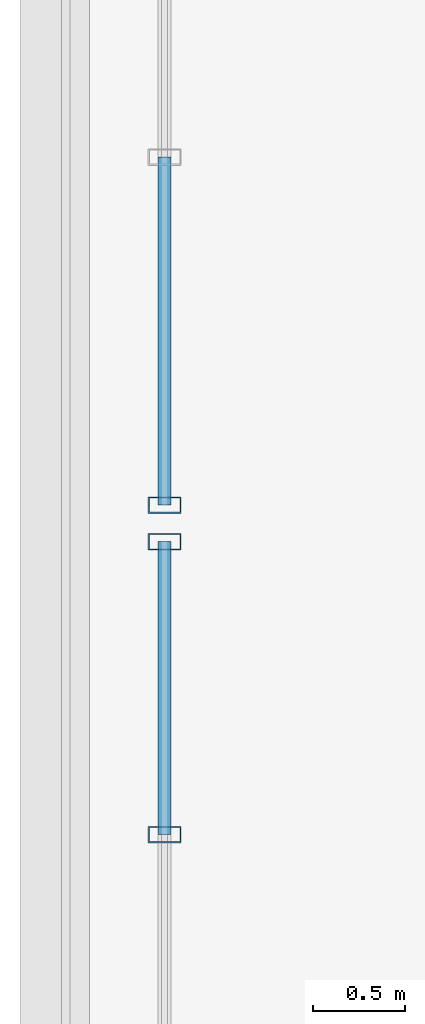
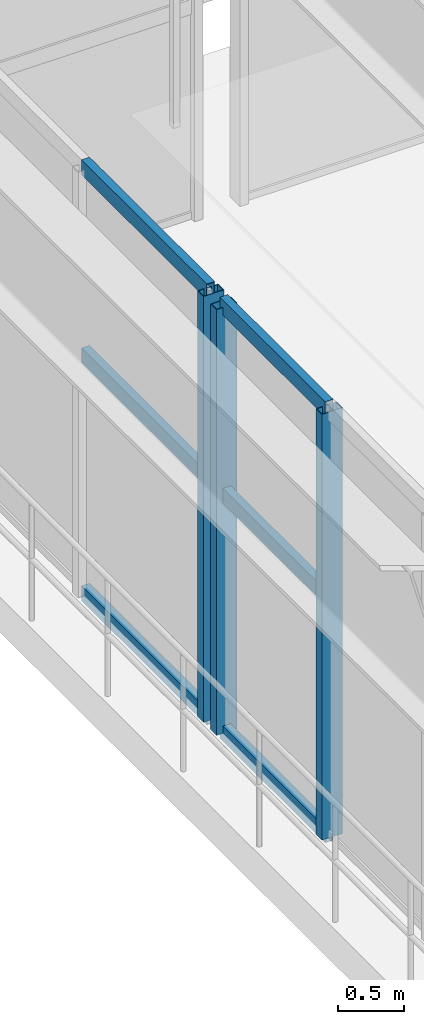
# One storey, part 26 of 124: 9 members, 2 elements without a shape of their own.
"""IFC4 building model written with IfcOpenShell, lengths in metres."""

from ifc_helpers import new_model, si_unit, direction, frame, origin, origin_2d, place, context, subcontext, project, spatial, hollow_rectangle, extrude, material, material_profile, profile_set, type_object, element, aggregate, save


model = new_model("IFC4")

# Units and contexts
model_context = context("Model", 3, precision=1e-05, world=origin(), true_north=direction((0.0, 1.0)))
body_context = subcontext(model_context, "Body", "Model", "MODEL_VIEW")
ifc_project = project(units=[si_unit("LENGTHUNIT", "METRE"), si_unit("AREAUNIT", "SQUARE_METRE"), si_unit("VOLUMEUNIT", "CUBIC_METRE"), si_unit("PLANEANGLEUNIT", "RADIAN"), si_unit("MASSUNIT", "GRAM", prefix="KILO")], contexts=[model_context])

# Site, building, storey
site_placement = place(None, origin())
site = spatial("IfcSite", under=ifc_project, at=site_placement, CompositionType="ELEMENT")
building_placement = place(site_placement, origin())
building = spatial("IfcBuilding", under=site, at=building_placement, Name="Sundkrona Museum", CompositionType="ELEMENT")
storey_placement = place(building_placement, frame((0.0, 0.0, 17.60009765625)))
storey = spatial("IfcBuildingStorey", under=building, at=storey_placement, Name="L03", CompositionType="ELEMENT", Elevation=17.60009765625)

# Curtain wall, members
ifc_material_1 = material(Name="Unitised Aluminium-Steel and Ceramic-Clad Curtain Walling", Category="steel")
curtain_wall_type = type_object("IfcCurtainWallType", Name="CW-CV-68x38", PredefinedType="NOTDEFINED", material=ifc_material_1)
curtain_wall_1_placement = place(storey_placement, origin())
curtain_wall_1 = element("IfcCurtainWall", 1, at=curtain_wall_1_placement, inside=storey, type_object=curtain_wall_type, Name="L03 Curtain Wall CW-CV-TIP-L03-39", PredefinedType="NOTDEFINED")
ifc_material_2 = material(Name="Aluminium EN AW-6060 T66", Category="aluminium")
ifc_material_profile_1 = material_profile(ifc_material_2, hollow_rectangle(XDim=0.090087890625, YDim=0.179931640625, WallThickness=0.00634765625, at=origin_2d()), Name="RHS 180x90x6.3")
ifc_profile_set_1 = profile_set([ifc_material_profile_1], Name="Aluminium EN AW-6060 T66")
member_type_1 = type_object("IfcMemberType", Name="ML-180", PredefinedType="MULLION", material=ifc_profile_set_1)
member_1_placement = place(storey_placement, frame((4.60009765625, 44.60009765625, -0.004150390625), z_axis=(0.0, 0.0, 1.0), x_axis=(0.0, 1.0, 0.0)))
member_1 = element("IfcMember", 2, at=member_1_placement, type_object=member_type_1, Name="CW-CV-TIP-L03-39 Mullion 04", PredefinedType="MULLION", context=body_context, shape_type="SweptSolid", body=[
    extrude(hollow_rectangle(XDim=0.090087890625, YDim=0.179931640625, WallThickness=0.00634765625, at=origin_2d()), origin(), (0.0, 0.0, 1.0), 3.947998046875),
])
member_2_placement = place(storey_placement, frame((4.60009765625, 46.199951171875, -0.004150390625), z_axis=(0.0, 0.0, 1.0), x_axis=(0.0, 1.0, 0.0)))
member_2 = element("IfcMember", 3, at=member_2_placement, type_object=member_type_1, Name="CW-CV-TIP-L03-39 Mullion 05", PredefinedType="MULLION", context=body_context, shape_type="SweptSolid", body=[
    extrude(hollow_rectangle(XDim=0.090087890625, YDim=0.179931640625, WallThickness=0.00634765625, at=origin_2d()), origin(), (0.0, 0.0, 1.0), 3.947998046875),
])

# Curtain wall, member
curtain_wall_2_placement = place(storey_placement, origin())
curtain_wall_2 = element("IfcCurtainWall", 4, at=curtain_wall_2_placement, inside=storey, type_object=curtain_wall_type, Name="L03 Curtain Wall CW-CV-TIP-L03-46", PredefinedType="NOTDEFINED")
member_3_placement = place(storey_placement, frame((4.60009765625, 46.39990234375, -0.004150390625), z_axis=(0.0, 0.0, 1.0), x_axis=(0.0, 1.0, 0.0)))
member_3 = element("IfcMember", 5, at=member_3_placement, type_object=member_type_1, Name="CW-CV-TIP-L03-46 Mullion 01", PredefinedType="MULLION", context=body_context, shape_type="SweptSolid", body=[
    extrude(hollow_rectangle(XDim=0.090087890625, YDim=0.179931640625, WallThickness=0.00634765625, at=origin_2d()), origin(), (0.0, 0.0, 1.0), 3.947998046875),
])

# Member
ifc_material_profile_2 = material_profile(ifc_material_2, hollow_rectangle(XDim=0.070068359375, YDim=0.139892578125, WallThickness=0.0048828125, at=origin_2d()), Name="RHS 140x70x5.0")
ifc_profile_set_2 = profile_set([ifc_material_profile_2], Name="Aluminium EN AW-6060 T66")
member_type_2 = type_object("IfcMemberType", Name="TR-140", PredefinedType="USERDEFINED", material=ifc_profile_set_2)
member_4_placement = place(storey_placement, frame((4.60009765625, 44.60009765625, -0.004150390625), z_axis=(0.0, 1.0, 0.0), x_axis=(-1.0, 0.0, 0.0)))
member_4 = element("IfcMember", 6, at=member_4_placement, type_object=member_type_2, Name="CW-CV-TIP-L03-39 Transom 10", ObjectType="TRANSOM", PredefinedType="USERDEFINED", context=body_context, shape_type="SweptSolid", body=[
    extrude(hollow_rectangle(XDim=0.070068359375, YDim=0.139892578125, WallThickness=0.0048828125, at=origin_2d()), origin(), (0.0, 0.0, 1.0), 1.599853515625),
])

member_5_placement = place(storey_placement, frame((4.60009765625, 44.60009765625, 2.199951171875), z_axis=(0.0, 1.0, 0.0), x_axis=(-1.0, 0.0, 0.0)))
member_5 = element("IfcMember", 7, at=member_5_placement, type_object=member_type_2, Name="CW-CV-TIP-L03-39 Transom 11", ObjectType="TRANSOM", PredefinedType="USERDEFINED", context=body_context, shape_type="SweptSolid", body=[
    extrude(hollow_rectangle(XDim=0.070068359375, YDim=0.139892578125, WallThickness=0.0048828125, at=origin_2d()), origin(), (0.0, 0.0, 1.0), 1.599853515625),
])

member_6_placement = place(storey_placement, frame((4.60009765625, 44.60009765625, 3.94384765625), z_axis=(0.0, 1.0, 0.0), x_axis=(-1.0, 0.0, 0.0)))
member_6 = element("IfcMember", 8, at=member_6_placement, type_object=member_type_2, Name="CW-CV-TIP-L03-39 Transom 12", ObjectType="TRANSOM", PredefinedType="USERDEFINED", context=body_context, shape_type="SweptSolid", body=[
    extrude(hollow_rectangle(XDim=0.070068359375, YDim=0.139892578125, WallThickness=0.0048828125, at=origin_2d()), origin(), (0.0, 0.0, 1.0), 1.599853515625),
])

aggregate(curtain_wall_1, [member_1, member_2, member_4, member_5, member_6])

member_7_placement = place(storey_placement, frame((4.60009765625, 46.39990234375, -0.004150390625), z_axis=(0.0, 1.0, 0.0), x_axis=(-1.0, 0.0, 0.0)))
member_7 = element("IfcMember", 9, at=member_7_placement, type_object=member_type_2, Name="CW-CV-TIP-L03-46 Transom 01", ObjectType="TRANSOM", PredefinedType="USERDEFINED", context=body_context, shape_type="SweptSolid", body=[
    extrude(hollow_rectangle(XDim=0.070068359375, YDim=0.139892578125, WallThickness=0.0048828125, at=origin_2d()), origin(), (0.0, 0.0, 1.0), 1.900146484375),
])

member_8_placement = place(storey_placement, frame((4.60009765625, 46.39990234375, 2.199951171875), z_axis=(0.0, 1.0, 0.0), x_axis=(-1.0, 0.0, 0.0)))
member_8 = element("IfcMember", 10, at=member_8_placement, type_object=member_type_2, Name="CW-CV-TIP-L03-46 Transom 02", ObjectType="TRANSOM", PredefinedType="USERDEFINED", context=body_context, shape_type="SweptSolid", body=[
    extrude(hollow_rectangle(XDim=0.070068359375, YDim=0.139892578125, WallThickness=0.0048828125, at=origin_2d()), origin(), (0.0, 0.0, 1.0), 1.900146484375),
])

member_9_placement = place(storey_placement, frame((4.60009765625, 46.39990234375, 3.94384765625), z_axis=(0.0, 1.0, 0.0), x_axis=(-1.0, 0.0, 0.0)))
member_9 = element("IfcMember", 11, at=member_9_placement, type_object=member_type_2, Name="CW-CV-TIP-L03-46 Transom 03", ObjectType="TRANSOM", PredefinedType="USERDEFINED", context=body_context, shape_type="SweptSolid", body=[
    extrude(hollow_rectangle(XDim=0.070068359375, YDim=0.139892578125, WallThickness=0.0048828125, at=origin_2d()), origin(), (0.0, 0.0, 1.0), 1.900146484375),
])

aggregate(curtain_wall_2, [member_3, member_7, member_8, member_9])

save(model, "model.ifc")
